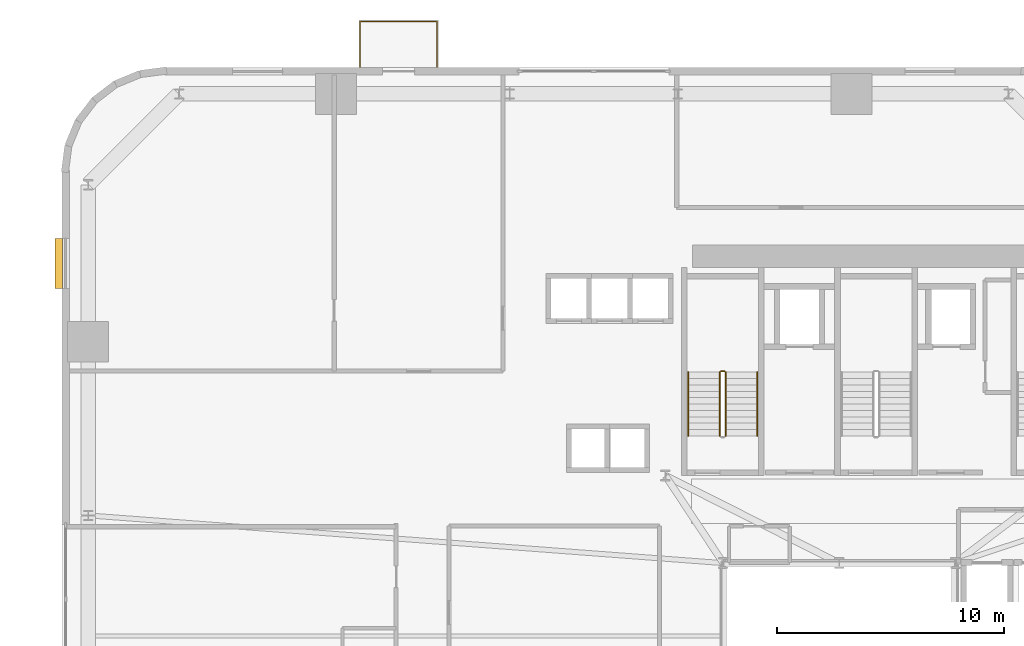
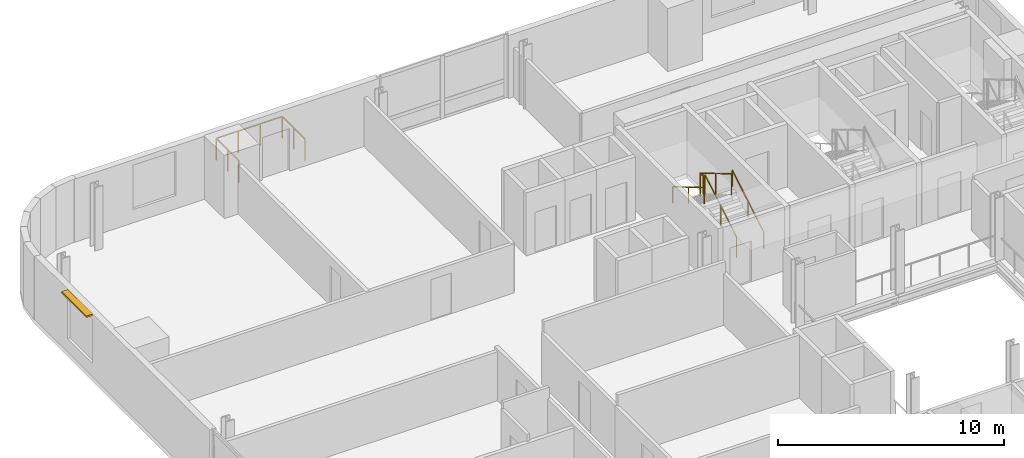
# One storey, part 12 of 13: 6 railings, 1 shading device.
"""IFC4 building model written with IfcOpenShell, lengths in metres."""

from ifc_helpers import new_model, si_unit, direction, frame, origin, origin_2d, place, context, subcontext, project, spatial, rectangle, extrude, source, transform, mapped, material, layer, layer_set, type_object, element, save


model = new_model("IFC4")

# Units and contexts
model_context = context("Model", 3, precision=1e-05, world=origin(), true_north=direction((0.0, 1.0)))
body_context = subcontext(model_context, "Body", "Model", "MODEL_VIEW")
ifc_project = project(units=[si_unit("LENGTHUNIT", "METRE"), si_unit("AREAUNIT", "SQUARE_METRE"), si_unit("VOLUMEUNIT", "CUBIC_METRE"), si_unit("PLANEANGLEUNIT", "RADIAN"), si_unit("MASSUNIT", "GRAM", prefix="KILO")], contexts=[model_context])

# Site, building, storey
site_placement = place(None, origin())
site = spatial("IfcSite", under=ifc_project, at=site_placement, CompositionType="ELEMENT")
building_placement = place(site_placement, origin())
building = spatial("IfcBuilding", under=site, at=building_placement, Name="Vardaveli Station Tower", CompositionType="ELEMENT")
storey_placement = place(building_placement, frame((0.0, 0.0, 53.14990234375)))
storey = spatial("IfcBuildingStorey", under=building, at=storey_placement, Name="L13", CompositionType="ELEMENT", Elevation=53.14990234375)

# Railing
ifc_material_1 = material(Name="Laminated glass and stainless steel balustrade", Category="steel")
railing_type_1 = type_object("IfcRailingType", Name="RL-BAL-1200", PredefinedType="BALUSTRADE", material=ifc_material_1)
shared_shape_1 = source(origin(), body_context, "Body", "SweptSolid", [
    extrude(rectangle(XDim=0.048095703125, YDim=0.048095703125, at=origin_2d()), frame((0.0, 0.0, 1.17578125), z_axis=(0.0, 1.0, 0.0), x_axis=(-1.0, 0.0, 0.0)), (0.0, 0.0, 1.0), 2.0),
    extrude(rectangle(XDim=0.048095703125, YDim=0.048095703125, at=origin_2d()), frame((0.0, 2.0, 1.17578125), z_axis=(1.0, 0.0, 0.0), x_axis=(0.0, 1.0, 0.0)), (0.0, 0.0, 1.0), 3.3798828125),
    extrude(rectangle(XDim=0.048095703125, YDim=0.048095703125, at=origin_2d()), frame((3.3798828125, 2.0, 1.17578125), z_axis=(0.0, -1.0, 0.0), x_axis=(1.0, 0.0, 0.0)), (0.0, 0.0, 1.0), 2.0),
    extrude(rectangle(XDim=0.0419921875, YDim=0.0419921875, at=origin_2d()), origin(), (0.0, 0.0, 1.0), 1.15185546875),
    extrude(rectangle(XDim=0.0419921875, YDim=0.0419921875, at=origin_2d()), frame((0.0, 1.0, 0.0)), (0.0, 0.0, 1.0), 1.15185546875),
    extrude(rectangle(XDim=0.0419921875, YDim=0.0419921875, at=origin_2d()), frame((0.0, 2.0, 0.0)), (0.0, 0.0, 1.0), 1.15185546875),
    extrude(rectangle(XDim=0.0419921875, YDim=0.0419921875, at=origin_2d()), frame((1.126708984375, 2.0, 0.0)), (0.0, 0.0, 1.0), 1.15185546875),
    extrude(rectangle(XDim=0.0419921875, YDim=0.0419921875, at=origin_2d()), frame((2.253173828125, 2.0, 0.0)), (0.0, 0.0, 1.0), 1.15185546875),
    extrude(rectangle(XDim=0.0419921875, YDim=0.0419921875, at=origin_2d()), frame((3.3798828125, 2.0, 0.0)), (0.0, 0.0, 1.0), 1.15185546875),
    extrude(rectangle(XDim=0.0419921875, YDim=0.0419921875, at=origin_2d()), frame((3.3798828125, 1.0, 0.0)), (0.0, 0.0, 1.0), 1.15185546875),
    extrude(rectangle(XDim=0.0419921875, YDim=0.0419921875, at=origin_2d()), frame((3.3798828125, 0.0, 0.0)), (0.0, 0.0, 1.0), 1.15185546875),
])
railing_1_placement = place(storey_placement, frame((15.220458984375, 48.639892578125, 0.0)))
element("IfcRailing", 1, at=railing_1_placement, inside=storey, type_object=railing_type_1, Name="RL-LOG-L13-02", PredefinedType="BALUSTRADE", context=body_context, shape_type="MappedRepresentation", body=[
    mapped(shared_shape_1, transform((0.0, 0.0, 0.0), scale=1.0)),
])

# Shading device
ifc_material_2 = material(Name="Anodised champagne aluminium sunshade", Category="aluminium")
ifc_layer = layer(ifc_material_2, 0.090087890625, Name="Anodised champagne aluminium sunshade")
ifc_layer_set = layer_set([ifc_layer], Name="Anodised champagne aluminium sunshade")
shading_device_type = type_object("IfcShadingDeviceType", Name="SHD-SUNSHADE", PredefinedType="USERDEFINED", material=ifc_layer_set)
shared_shape_2 = source(origin(), body_context, "Body", "SweptSolid", [
    extrude(rectangle(XDim=2.199951171875, YDim=0.320068359375, at=origin_2d()), origin(), (0.0, 0.0, 1.0), 0.090087890625),
])
shading_device_placement = place(storey_placement, frame((1.955078125, 39.9951171875, 3.2900390625), z_axis=(0.0, 0.0, 1.0), x_axis=(0.0, 1.0, 0.0)))
element("IfcShadingDevice", 2, at=shading_device_placement, inside=storey, type_object=shading_device_type, Name="SHD-SS-L13-W", ObjectType="SUNSHADE", PredefinedType="USERDEFINED", context=body_context, shape_type="MappedRepresentation", body=[
    mapped(shared_shape_2, transform((0.0, 0.0, 0.0), scale=1.0)),
])

# Railings
ifc_material_3 = material(Name="Brushed AISI 316 stainless steel", Category="steel")
railing_type_2 = type_object("IfcRailingType", Name="RL-GUARD-1150", PredefinedType="GUARDRAIL", material=ifc_material_3)
shared_shape_3 = source(origin(), body_context, "Body", "SweptSolid", [
    extrude(rectangle(XDim=0.048095703125, YDim=0.048095703125, at=origin_2d()), frame((0.0, 0.0, 1.1259765625), z_axis=(-1.0, 0.0, 0.0), x_axis=(0.0, -1.0, 0.0)), (0.0, 0.0, 1.0), 0.14990234375),
    extrude(rectangle(XDim=0.0419921875, YDim=0.0419921875, at=origin_2d()), origin(), (0.0, 0.0, 1.0), 1.101806640625),
    extrude(rectangle(XDim=0.0419921875, YDim=0.0419921875, at=origin_2d()), frame((-0.14990234375, 0.0, 0.0)), (0.0, 0.0, 1.0), 1.101806640625),
])
railing_2_placement = place(storey_placement, frame((31.25, 35.25, 1.8251953125)))
element("IfcRailing", 3, at=railing_2_placement, inside=storey, type_object=railing_type_2, Name="L13 ST-1 stair guard 2", PredefinedType="GUARDRAIL", context=body_context, shape_type="MappedRepresentation", body=[
    mapped(shared_shape_3, transform((0.0, 0.0, 0.0), scale=1.0)),
])
shared_shape_4 = source(origin(), body_context, "Body", "SweptSolid", [
    extrude(rectangle(XDim=0.048095703125, YDim=0.048095703125, at=origin_2d()), frame((0.0, 0.0, 1.1259765625), z_axis=(0.0, 0.860306154799, 0.50977771628), x_axis=(-1.0, 0.0, 0.0)), (0.0, 0.0, 1.0), 3.254638671875),
    extrude(rectangle(XDim=0.0419921875, YDim=0.0419921875, at=origin_2d()), origin(), (0.0, 0.0, 1.0), 1.101806640625),
    extrude(rectangle(XDim=0.0419921875, YDim=0.0419921875, at=origin_2d()), frame((0.0, 1.39990234375, 0.82958984375)), (0.0, 0.0, 1.0), 1.101806640625),
    extrude(rectangle(XDim=0.0419921875, YDim=0.0419921875, at=origin_2d()), frame((0.0, 2.800048828125, 1.6591796875)), (0.0, 0.0, 1.0), 1.101806640625),
])
railing_3_placement = place(storey_placement, frame((31.300048828125, 32.39990234375, 0.166015625)))
element("IfcRailing", 4, at=railing_3_placement, inside=storey, type_object=railing_type_2, Name="L13 ST-1 stair guard 1", PredefinedType="GUARDRAIL", context=body_context, shape_type="MappedRepresentation", body=[
    mapped(shared_shape_4, transform((0.0, 0.0, 0.0), scale=1.0)),
])
shared_shape_5 = source(origin(), body_context, "Body", "SweptSolid", [
    extrude(rectangle(XDim=0.048095703125, YDim=0.048095703125, at=origin_2d()), frame((0.0, 0.0, 1.1259765625), z_axis=(0.0, -0.860306154799, 0.50977771628), x_axis=(1.0, 0.0, 0.0)), (0.0, 0.0, 1.0), 3.254638671875),
    extrude(rectangle(XDim=0.0419921875, YDim=0.0419921875, at=origin_2d()), origin(), (0.0, 0.0, 1.0), 1.101806640625),
    extrude(rectangle(XDim=0.0419921875, YDim=0.0419921875, at=origin_2d()), frame((0.0, -1.39990234375, 0.82958984375)), (0.0, 0.0, 1.0), 1.101806640625),
    extrude(rectangle(XDim=0.0419921875, YDim=0.0419921875, at=origin_2d()), frame((0.0, -2.800048828125, 1.6591796875)), (0.0, 0.0, 1.0), 1.101806640625),
])
railing_4_placement = place(storey_placement, frame((31.050048828125, 35.199951171875, 1.990966796875)))
element("IfcRailing", 5, at=railing_4_placement, inside=storey, type_object=railing_type_2, Name="L13 ST-1 stair guard 3", PredefinedType="GUARDRAIL", context=body_context, shape_type="MappedRepresentation", body=[
    mapped(shared_shape_5, transform((0.0, 0.0, 0.0), scale=1.0)),
])
railing_type_3 = type_object("IfcRailingType", Name="RL-HAND-900", PredefinedType="HANDRAIL", material=ifc_material_3)
shared_shape_6 = source(origin(), body_context, "Body", "SweptSolid", [
    extrude(rectangle(XDim=0.048095703125, YDim=0.048095703125, at=origin_2d()), frame((0.0, 0.0, 0.8759765625), z_axis=(0.0, 0.860306154799, 0.50977771628), x_axis=(-1.0, 0.0, 0.0)), (0.0, 0.0, 1.0), 3.254638671875),
    extrude(rectangle(XDim=0.0419921875, YDim=0.0419921875, at=origin_2d()), origin(), (0.0, 0.0, 1.0), 0.851806640625),
    extrude(rectangle(XDim=0.0419921875, YDim=0.0419921875, at=origin_2d()), frame((0.0, 1.39990234375, 0.82958984375)), (0.0, 0.0, 1.0), 0.851806640625),
    extrude(rectangle(XDim=0.0419921875, YDim=0.0419921875, at=origin_2d()), frame((0.0, 2.800048828125, 1.6591796875)), (0.0, 0.0, 1.0), 0.851806640625),
])
railing_5_placement = place(storey_placement, frame((32.699951171875, 32.39990234375, 0.166015625)))
element("IfcRailing", 6, at=railing_5_placement, inside=storey, type_object=railing_type_3, Name="L13 ST-1 stair handrail 1", PredefinedType="HANDRAIL", context=body_context, shape_type="MappedRepresentation", body=[
    mapped(shared_shape_6, transform((0.0, 0.0, 0.0), scale=1.0)),
])
shared_shape_7 = source(origin(), body_context, "Body", "SweptSolid", [
    extrude(rectangle(XDim=0.048095703125, YDim=0.048095703125, at=origin_2d()), frame((0.0, 0.0, 0.8759765625), z_axis=(0.0, -0.860306154799, 0.50977771628), x_axis=(1.0, 0.0, 0.0)), (0.0, 0.0, 1.0), 3.254638671875),
    extrude(rectangle(XDim=0.0419921875, YDim=0.0419921875, at=origin_2d()), origin(), (0.0, 0.0, 1.0), 0.851806640625),
    extrude(rectangle(XDim=0.0419921875, YDim=0.0419921875, at=origin_2d()), frame((0.0, -1.39990234375, 0.82958984375)), (0.0, 0.0, 1.0), 0.851806640625),
    extrude(rectangle(XDim=0.0419921875, YDim=0.0419921875, at=origin_2d()), frame((0.0, -2.800048828125, 1.6591796875)), (0.0, 0.0, 1.0), 0.851806640625),
])
railing_6_placement = place(storey_placement, frame((29.64990234375, 35.199951171875, 1.990966796875)))
element("IfcRailing", 7, at=railing_6_placement, inside=storey, type_object=railing_type_3, Name="L13 ST-1 stair handrail 2", PredefinedType="HANDRAIL", context=body_context, shape_type="MappedRepresentation", body=[
    mapped(shared_shape_7, transform((0.0, 0.0, 0.0), scale=1.0)),
])

save(model, "model.ifc")
